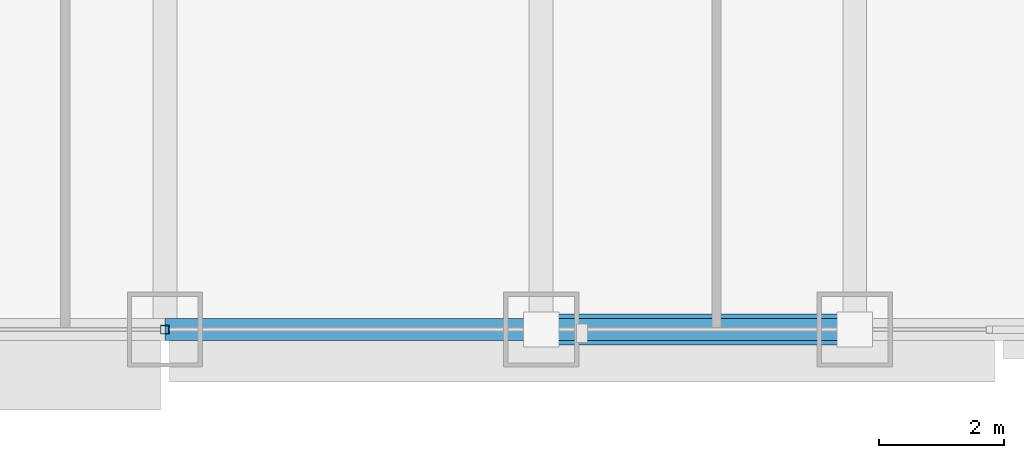
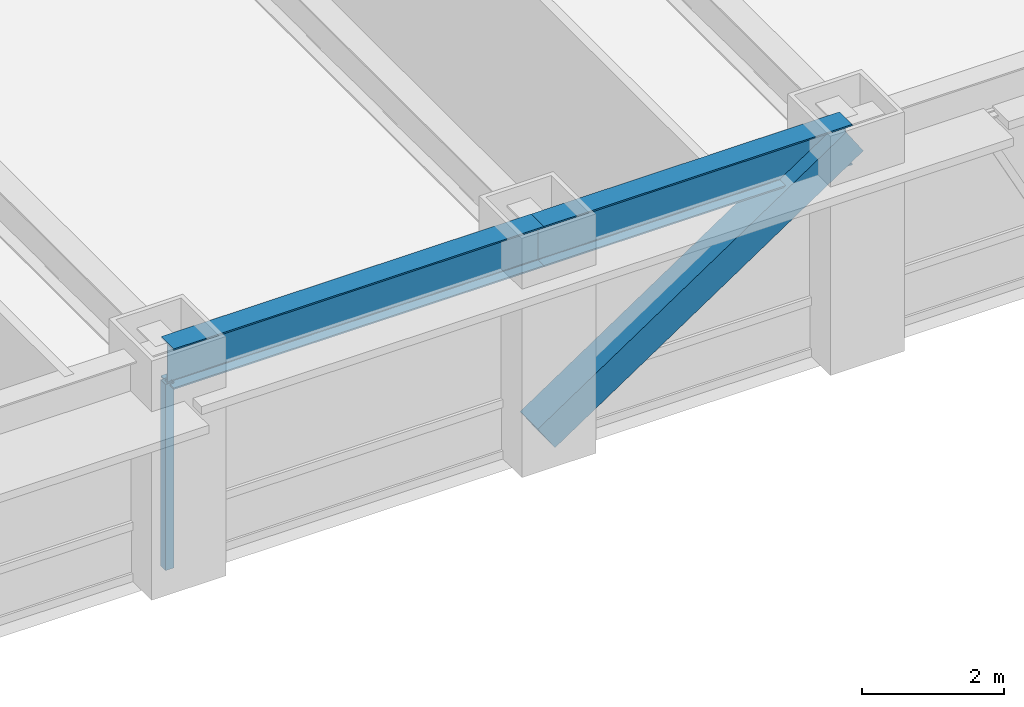
# One storey, part 4 of 32: 2 beams, 2 members, 1 element without a shape of its own.
"""IFC4 building model written with IfcOpenShell, lengths in metres."""

from ifc_helpers import new_model, si_unit, direction, frame, origin, origin_2d, place, context, subcontext, project, spatial, hollow_rectangle, i_section, extrude, source, transform, mapped, material, material_profile, profile_set, type_object, element, aggregate, save


model = new_model("IFC4")

# Units and contexts
model_context = context("Model", 3, precision=1e-05, world=origin(), true_north=direction((0.0, 1.0)))
body_context = subcontext(model_context, "Body", "Model", "MODEL_VIEW")
ifc_project = project(units=[si_unit("LENGTHUNIT", "METRE"), si_unit("AREAUNIT", "SQUARE_METRE"), si_unit("VOLUMEUNIT", "CUBIC_METRE"), si_unit("PLANEANGLEUNIT", "RADIAN"), si_unit("MASSUNIT", "GRAM", prefix="KILO")], contexts=[model_context])

# Site, building, storey
site_placement = place(None, origin())
site = spatial("IfcSite", under=ifc_project, at=site_placement, CompositionType="ELEMENT")
building_placement = place(site_placement, origin())
building = spatial("IfcBuilding", under=site, at=building_placement, Name="Khorayat Bourse Tower", CompositionType="ELEMENT")
storey_placement = place(building_placement, frame((0.0, 0.0, 136.5)))
storey = spatial("IfcBuildingStorey", under=building, at=storey_placement, Name="L31", CompositionType="ELEMENT", Elevation=136.5)

# Beams
ifc_material_1 = material(Name="Steel ASTM A992 Grade 50", Category="steel")
ifc_material_profile_1 = material_profile(ifc_material_1, i_section(OverallWidth=0.35498046875, OverallDepth=0.695068359375, WebThickness=0.015380859375, FlangeThickness=0.02490234375, FilletRadius=0.01806640625, at=origin_2d()), Name="W690X217")
ifc_profile_set_1 = profile_set([ifc_material_profile_1], Name="Steel ASTM A992 Grade 50")
beam_type = type_object("IfcBeamType", Name="BM-SPAN-690", PredefinedType="SPANDREL", material=ifc_profile_set_1)
shared_shape_1 = source(origin(), body_context, "Body", "SweptSolid", [
    extrude(i_section(OverallWidth=0.35498046875, OverallDepth=0.695068359375, WebThickness=0.015380859375, FlangeThickness=0.02490234375, FilletRadius=0.01806640625, at=origin_2d()), origin(), (0.0, 0.0, 1.0), 5.0),
])
beam_1_placement = place(storey_placement, frame((6.0, -32.0, 3.492431640625), z_axis=(1.0, 0.0, 0.0), x_axis=(0.0, 1.0, 0.0)))
element("IfcBeam", 1, at=beam_1_placement, inside=storey, type_object=beam_type, Name="L31 BM-SPAN-690 BM-L31-SPN-029", PredefinedType="SPANDREL", context=body_context, shape_type="MappedRepresentation", body=[
    mapped(shared_shape_1, transform((0.0, 0.0, 0.0), scale=1.0)),
])
shared_shape_2 = source(origin(), body_context, "Body", "SweptSolid", [
    extrude(i_section(OverallWidth=0.35498046875, OverallDepth=0.695068359375, WebThickness=0.015380859375, FlangeThickness=0.02490234375, FilletRadius=0.01806640625, at=origin_2d()), origin(), (0.0, 0.0, 1.0), 6.0),
])
beam_2_placement = place(storey_placement, frame((0.0, -32.0, 3.492431640625), z_axis=(1.0, 0.0, 0.0), x_axis=(0.0, 1.0, 0.0)))
element("IfcBeam", 2, at=beam_2_placement, inside=storey, type_object=beam_type, Name="L31 BM-SPAN-690 BM-L31-SPN-028", PredefinedType="SPANDREL", context=body_context, shape_type="MappedRepresentation", body=[
    mapped(shared_shape_2, transform((0.0, 0.0, 0.0), scale=1.0)),
])

# Member
ifc_material_2 = material(Name="Steel EN 10025-4 S460M", Category="steel")
ifc_material_profile_2 = material_profile(ifc_material_2, hollow_rectangle(XDim=0.5, YDim=0.5, WallThickness=0.028076171875, at=origin_2d()), Name="HSS 500x500x28")
ifc_profile_set_2 = profile_set([ifc_material_profile_2], Name="Steel EN 10025-4 S460M")
member_type_1 = type_object("IfcMemberType", Name="MBR-TUBE-500", PredefinedType="BRACE", material=ifc_profile_set_2)
shared_shape_3 = source(origin(), body_context, "Body", "SweptSolid", [
    extrude(hollow_rectangle(XDim=0.5, YDim=0.5, WallThickness=0.028076171875, at=origin_2d()), origin(), (0.0, 0.0, 1.0), 6.012939453125),
])
member_1_placement = place(storey_placement, frame((6.0, -32.0, 0.25), z_axis=(0.831531473026, 0.0, 0.555477640745), x_axis=(0.0, 1.0, 0.0)))
element("IfcMember", 3, at=member_1_placement, inside=storey, type_object=member_type_1, Name="L31 Perimeter Tube Brace 02", PredefinedType="BRACE", context=body_context, shape_type="MappedRepresentation", body=[
    mapped(shared_shape_3, transform((0.0, 0.0, 0.0), scale=1.0)),
])

# Curtain wall, member
ifc_material_3 = material(Name="Aluminium EN AW-6063 T6", Category="aluminium")
curtain_wall_type = type_object("IfcCurtainWallType", Name="CW-SYS-02", PredefinedType="NOTDEFINED", material=ifc_material_3)
curtain_wall_placement = place(storey_placement, origin())
curtain_wall = element("IfcCurtainWall", 4, at=curtain_wall_placement, inside=storey, type_object=curtain_wall_type, Name="L31 Curtain Wall CW-L31-S1", PredefinedType="NOTDEFINED")
ifc_material_profile_3 = material_profile(ifc_material_3, hollow_rectangle(XDim=0.139892578125, YDim=0.139892578125, WallThickness=0.006103515625, at=origin_2d()), Name="ALU 140x140x6")
ifc_profile_set_3 = profile_set([ifc_material_profile_3], Name="Aluminium EN AW-6063 T6")
member_type_2 = type_object("IfcMemberType", Name="CWM-VERT-140", PredefinedType="MULLION", material=ifc_profile_set_3)
shared_shape_4 = source(origin(), body_context, "Body", "SweptSolid", [
    extrude(hollow_rectangle(XDim=0.139892578125, YDim=0.139892578125, WallThickness=0.006103515625, at=origin_2d()), origin(), (0.0, 0.0, 1.0), 3.18994140625),
])
member_2_placement = place(storey_placement, frame((0.0, -32.0, 0.0), z_axis=(0.0, 0.0, 1.0), x_axis=(0.0, 1.0, 0.0)))
member_2 = element("IfcMember", 5, at=member_2_placement, type_object=member_type_2, Name="CW-L31-S1 Vertical Mullion 2", PredefinedType="MULLION", context=body_context, shape_type="MappedRepresentation", body=[
    mapped(shared_shape_4, transform((0.0, 0.0, 0.0), scale=1.0)),
])
aggregate(curtain_wall, [member_2])

save(model, "model.ifc")
